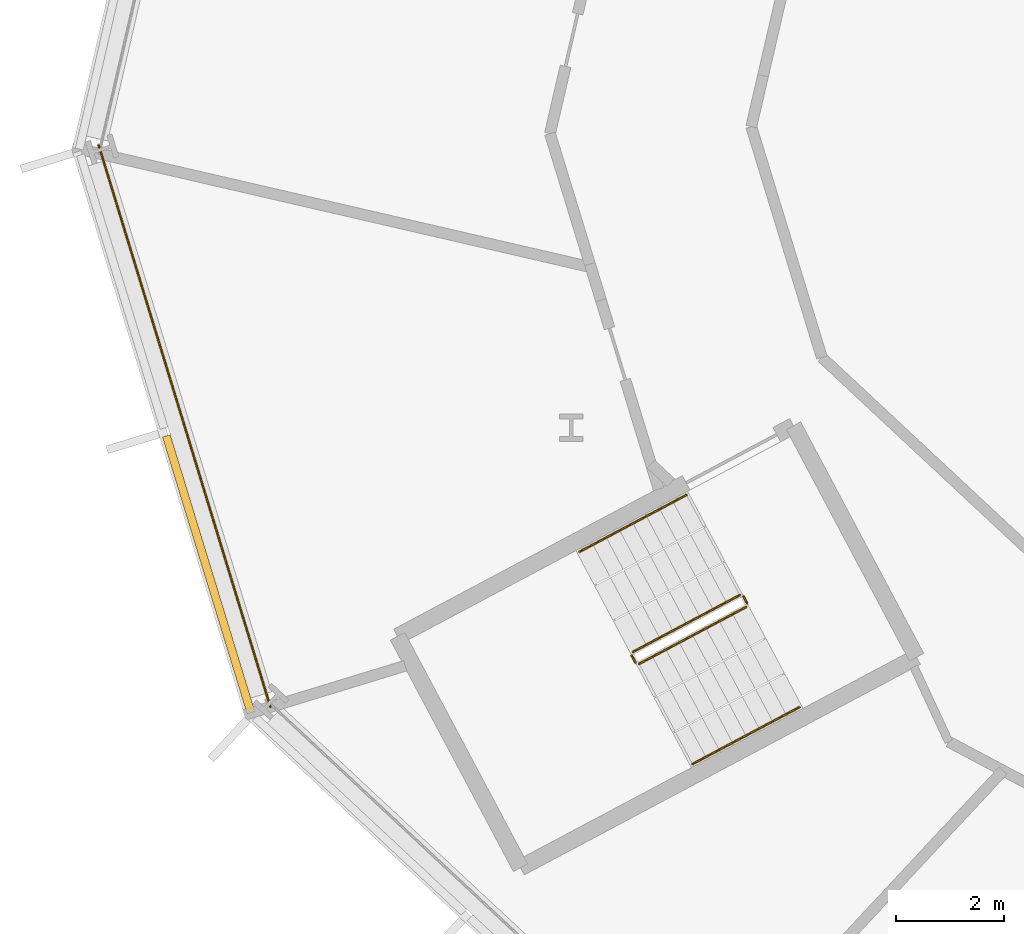
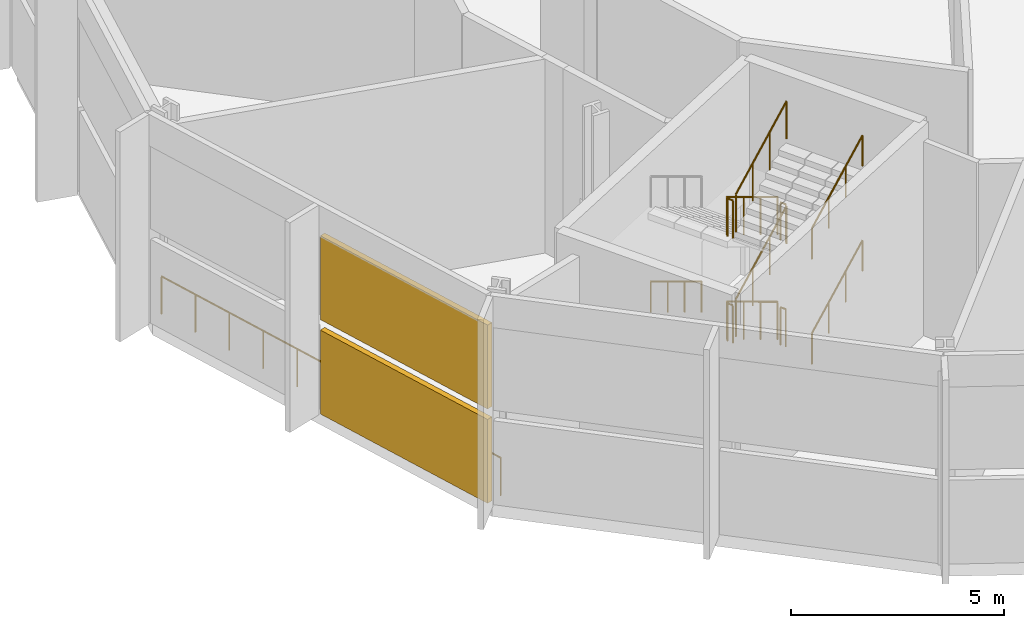
# One storey, part 22 of 33: 12 railings, 2 shading devices, 1 element without a shape of its own.
"""IFC4 building model written with IfcOpenShell, lengths in metres."""

from ifc_helpers import new_model, si_unit, direction, frame, origin, origin_2d, place, context, subcontext, project, spatial, polyline, rectangle, outline, extrude, material, layer, layer_set, type_object, element, aggregate, save


model = new_model("IFC4")

# Units and contexts
model_context = context("Model", 3, precision=1e-05, world=origin(), true_north=direction((0.0, 1.0)))
body_context = subcontext(model_context, "Body", "Model", "MODEL_VIEW")
ifc_project = project(units=[si_unit("LENGTHUNIT", "METRE"), si_unit("AREAUNIT", "SQUARE_METRE"), si_unit("VOLUMEUNIT", "CUBIC_METRE"), si_unit("PLANEANGLEUNIT", "RADIAN"), si_unit("MASSUNIT", "GRAM", prefix="KILO")], contexts=[model_context])

# Site, building, storey
site_placement = place(None, origin())
site = spatial("IfcSite", under=ifc_project, at=site_placement, CompositionType="ELEMENT")
building_placement = place(site_placement, origin())
building = spatial("IfcBuilding", under=site, at=building_placement, Name="Cormorant Relay Tower", CompositionType="ELEMENT")
storey_placement = place(building_placement, frame((0.0, 0.0, 112.199951171875)))
storey = spatial("IfcBuildingStorey", under=building, at=storey_placement, Name="L22", CompositionType="ELEMENT", Elevation=112.199951171875)

# Railing
ifc_material_1 = material(Name="Stainless steel 316 guard", Category="steel")
railing_type_1 = type_object("IfcRailingType", Name="Band louvre guard 1100", PredefinedType="GUARDRAIL", material=ifc_material_1)
railing_1_placement = place(storey_placement, frame((-60.43310546875, 20.48095703125, 0.0)))
element("IfcRailing", 1, at=railing_1_placement, inside=storey, type_object=railing_type_1, Name="CW4 guard 12", PredefinedType="GUARDRAIL", context=body_context, shape_type="SweptSolid", body=[
    extrude(outline(polyline([(0.022216796875, 0.00927734375), (0.00927734375, 0.022216796875), (-0.00927734375, 0.022216796875), (-0.022216796875, 0.00927734375), (-0.022216796875, -0.00927734375), (-0.00927734375, -0.022216796875), (0.00927734375, -0.022216796875), (0.022216796875, -0.00927734375), (0.022216796875, 0.00927734375)])), frame((0.0, 0.0, 1.076171875), z_axis=(0.292377729282, -0.95630291405, 0.0), x_axis=(0.95630291405, 0.292377729282, 0.0)), (0.0, 0.0, 1.0), 10.870361328125),
    extrude(outline(polyline([(0.019287109375, 0.008056640625), (0.008056640625, 0.019287109375), (-0.008056640625, 0.019287109375), (-0.019287109375, 0.008056640625), (-0.019287109375, -0.008056640625), (-0.008056640625, -0.019287109375), (0.008056640625, -0.019287109375), (0.019287109375, -0.008056640625), (0.019287109375, 0.008056640625)])), origin(), (0.0, 0.0, 1.0), 1.052001953125),
    extrude(outline(polyline([(0.019287109375, 0.008056640625), (0.008056640625, 0.019287109375), (-0.008056640625, 0.019287109375), (-0.019287109375, 0.008056640625), (-0.019287109375, -0.008056640625), (-0.008056640625, -0.019287109375), (0.008056640625, -0.019287109375), (0.019287109375, -0.008056640625), (0.019287109375, 0.008056640625)])), frame((0.31787109375, -1.03955078125, 0.0)), (0.0, 0.0, 1.0), 1.052001953125),
    extrude(outline(polyline([(0.019287109375, 0.008056640625), (0.008056640625, 0.019287109375), (-0.008056640625, 0.019287109375), (-0.019287109375, 0.008056640625), (-0.019287109375, -0.008056640625), (-0.008056640625, -0.019287109375), (0.008056640625, -0.019287109375), (0.019287109375, -0.008056640625), (0.019287109375, 0.008056640625)])), frame((0.6357421875, -2.0791015625, 0.0)), (0.0, 0.0, 1.0), 1.052001953125),
    extrude(outline(polyline([(0.019287109375, 0.008056640625), (0.008056640625, 0.019287109375), (-0.008056640625, 0.019287109375), (-0.019287109375, 0.008056640625), (-0.019287109375, -0.008056640625), (-0.008056640625, -0.019287109375), (0.008056640625, -0.019287109375), (0.019287109375, -0.008056640625), (0.019287109375, 0.008056640625)])), frame((0.953369140625, -3.11865234375, 0.0)), (0.0, 0.0, 1.0), 1.052001953125),
    extrude(outline(polyline([(0.019287109375, 0.008056640625), (0.008056640625, 0.019287109375), (-0.008056640625, 0.019287109375), (-0.019287109375, 0.008056640625), (-0.019287109375, -0.008056640625), (-0.008056640625, -0.019287109375), (0.008056640625, -0.019287109375), (0.019287109375, -0.008056640625), (0.019287109375, 0.008056640625)])), frame((1.271240234375, -4.158203125, 0.0)), (0.0, 0.0, 1.0), 1.052001953125),
    extrude(outline(polyline([(0.019287109375, 0.008056640625), (0.008056640625, 0.019287109375), (-0.008056640625, 0.019287109375), (-0.019287109375, 0.008056640625), (-0.019287109375, -0.008056640625), (-0.008056640625, -0.019287109375), (0.008056640625, -0.019287109375), (0.019287109375, -0.008056640625), (0.019287109375, 0.008056640625)])), frame((1.589111328125, -5.19775390625, 0.0)), (0.0, 0.0, 1.0), 1.052001953125),
    extrude(outline(polyline([(0.019287109375, 0.008056640625), (0.008056640625, 0.019287109375), (-0.008056640625, 0.019287109375), (-0.019287109375, 0.008056640625), (-0.019287109375, -0.008056640625), (-0.008056640625, -0.019287109375), (0.008056640625, -0.019287109375), (0.019287109375, -0.008056640625), (0.019287109375, 0.008056640625)])), frame((1.906982421875, -6.237060546875, 0.0)), (0.0, 0.0, 1.0), 1.052001953125),
    extrude(outline(polyline([(0.019287109375, 0.008056640625), (0.008056640625, 0.019287109375), (-0.008056640625, 0.019287109375), (-0.019287109375, 0.008056640625), (-0.019287109375, -0.008056640625), (-0.008056640625, -0.019287109375), (0.008056640625, -0.019287109375), (0.019287109375, -0.008056640625), (0.019287109375, 0.008056640625)])), frame((2.224853515625, -7.276611328125, 0.0)), (0.0, 0.0, 1.0), 1.052001953125),
    extrude(outline(polyline([(0.019287109375, 0.008056640625), (0.008056640625, 0.019287109375), (-0.008056640625, 0.019287109375), (-0.019287109375, 0.008056640625), (-0.019287109375, -0.008056640625), (-0.008056640625, -0.019287109375), (0.008056640625, -0.019287109375), (0.019287109375, -0.008056640625), (0.019287109375, 0.008056640625)])), frame((2.54248046875, -8.316162109375, 0.0)), (0.0, 0.0, 1.0), 1.052001953125),
    extrude(outline(polyline([(0.019287109375, 0.008056640625), (0.008056640625, 0.019287109375), (-0.008056640625, 0.019287109375), (-0.019287109375, 0.008056640625), (-0.019287109375, -0.008056640625), (-0.008056640625, -0.019287109375), (0.008056640625, -0.019287109375), (0.019287109375, -0.008056640625), (0.019287109375, 0.008056640625)])), frame((2.8603515625, -9.355712890625, 0.0)), (0.0, 0.0, 1.0), 1.052001953125),
    extrude(outline(polyline([(0.019287109375, 0.008056640625), (0.008056640625, 0.019287109375), (-0.008056640625, 0.019287109375), (-0.019287109375, 0.008056640625), (-0.019287109375, -0.008056640625), (-0.008056640625, -0.019287109375), (0.008056640625, -0.019287109375), (0.019287109375, -0.008056640625), (0.019287109375, 0.008056640625)])), frame((3.17822265625, -10.395263671875, 0.0)), (0.0, 0.0, 1.0), 1.052001953125),
])

# Curtain wall, shading devices
ifc_material_2 = material(Name="Aluminium 6063-T6 anodised bronze", Category="aluminium")
ifc_layer = layer(ifc_material_2, 0.199951171875)
ifc_layer_set = layer_set([ifc_layer], Name="CW4 band louvre wall")
curtain_wall_type = type_object("IfcCurtainWallType", Name="CW4 band louvre wall", PredefinedType="NOTDEFINED", material=ifc_layer_set)
curtain_wall_placement = place(storey_placement, origin())
curtain_wall = element("IfcCurtainWall", 2, at=curtain_wall_placement, inside=storey, type_object=curtain_wall_type, Name="CW4 curtain wall 12", PredefinedType="NOTDEFINED")
ifc_material_3 = material(Name="Aluminium 6063-T6 anodised bronze louvre", Category="aluminium")
shading_device_type = type_object("IfcShadingDeviceType", Name="CW4 bronze louvre bank 150 x 2400", PredefinedType="USERDEFINED", material=ifc_material_3)
shading_device_1_placement = place(storey_placement, frame((-58.39697265625, 12.5390625, 2.7001953125), z_axis=(0.0, 0.0, 1.0), x_axis=(0.292371704723, -0.956304755963, 0.0)))
shading_device_1 = element("IfcShadingDevice", 3, at=shading_device_1_placement, type_object=shading_device_type, Name="CW4 louvre bank U12.2", ObjectType="LOUVRE", PredefinedType="USERDEFINED", context=body_context, shape_type="SweptSolid", body=[
    extrude(rectangle(XDim=5.360107421875, YDim=0.14990234375, at=origin_2d()), origin(), (0.0, 0.0, 1.0), 2.39990234375),
])
shading_device_2_placement = place(storey_placement, frame((-58.39697265625, 12.5390625, 0.0), z_axis=(0.0, 0.0, 1.0), x_axis=(0.292371704723, -0.956304755963, 0.0)))
shading_device_2 = element("IfcShadingDevice", 4, at=shading_device_2_placement, type_object=shading_device_type, Name="CW4 louvre bank D12.2", ObjectType="LOUVRE", PredefinedType="USERDEFINED", context=body_context, shape_type="SweptSolid", body=[
    extrude(rectangle(XDim=5.360107421875, YDim=0.14990234375, at=origin_2d()), origin(), (0.0, 0.0, 1.0), 2.39990234375),
])
aggregate(curtain_wall, [shading_device_1, shading_device_2])

# Railings
ifc_material_4 = material(Name="Steel ASTM A572 Grade 50 (Fy 345 MPa)", Category="steel")
railing_type_2 = type_object("IfcRailingType", Name="Stair guard 1100", PredefinedType="GUARDRAIL", material=ifc_material_4)
railing_2_placement = place(storey_placement, frame((-48.5693359375, 12.155517578125, 0.166748046875)))
element("IfcRailing", 5, at=railing_2_placement, inside=storey, type_object=railing_type_2, Name="L22 RP1 stair guard 1", PredefinedType="GUARDRAIL", context=body_context, shape_type="SweptSolid", body=[
    extrude(outline(polyline([(0.022216796875, 0.00927734375), (0.00927734375, 0.022216796875), (-0.00927734375, 0.022216796875), (-0.022216796875, 0.00927734375), (-0.022216796875, -0.00927734375), (-0.00927734375, -0.022216796875), (0.00927734375, -0.022216796875), (0.022216796875, -0.00927734375), (0.022216796875, 0.00927734375)])), frame((0.0, 0.0, 1.076171875), z_axis=(-0.758702922872, -0.403467743702, 0.511452494976), x_axis=(0.469524402671, -0.882919495366, 0.0)), (0.0, 0.0, 1.0), 2.606689453125),
    extrude(outline(polyline([(0.019287109375, 0.008056640625), (0.008056640625, 0.019287109375), (-0.008056640625, 0.019287109375), (-0.019287109375, 0.008056640625), (-0.019287109375, -0.008056640625), (-0.008056640625, -0.019287109375), (0.008056640625, -0.019287109375), (0.019287109375, -0.008056640625), (0.019287109375, 0.008056640625)])), origin(), (0.0, 0.0, 1.0), 1.052001953125),
    extrude(outline(polyline([(0.019287109375, 0.008056640625), (0.008056640625, 0.019287109375), (-0.008056640625, 0.019287109375), (-0.019287109375, 0.008056640625), (-0.019287109375, -0.008056640625), (-0.008056640625, -0.019287109375), (0.008056640625, -0.019287109375), (0.019287109375, -0.008056640625), (0.019287109375, 0.008056640625)])), frame((-0.6591796875, -0.3505859375, 0.4443359375)), (0.0, 0.0, 1.0), 1.052001953125),
    extrude(outline(polyline([(0.019287109375, 0.008056640625), (0.008056640625, 0.019287109375), (-0.008056640625, 0.019287109375), (-0.019287109375, 0.008056640625), (-0.019287109375, -0.008056640625), (-0.008056640625, -0.019287109375), (0.008056640625, -0.019287109375), (0.019287109375, -0.008056640625), (0.019287109375, 0.008056640625)])), frame((-1.318603515625, -0.701171875, 0.888916015625)), (0.0, 0.0, 1.0), 1.052001953125),
    extrude(outline(polyline([(0.019287109375, 0.008056640625), (0.008056640625, 0.019287109375), (-0.008056640625, 0.019287109375), (-0.019287109375, 0.008056640625), (-0.019287109375, -0.008056640625), (-0.008056640625, -0.019287109375), (0.008056640625, -0.019287109375), (0.019287109375, -0.008056640625), (0.019287109375, 0.008056640625)])), frame((-1.977783203125, -1.0517578125, 1.333251953125)), (0.0, 0.0, 1.0), 1.052001953125),
])
railing_3_placement = place(storey_placement, frame((-50.56787109375, 11.0361328125, 1.5)))
element("IfcRailing", 6, at=railing_3_placement, inside=storey, type_object=railing_type_2, Name="L22 RP1 stair guard 2", PredefinedType="GUARDRAIL", context=body_context, shape_type="SweptSolid", body=[
    extrude(outline(polyline([(0.022216796875, 0.00927734375), (0.00927734375, 0.022216796875), (-0.00927734375, 0.022216796875), (-0.022216796875, 0.00927734375), (-0.022216796875, -0.00927734375), (-0.00927734375, -0.022216796875), (0.00927734375, -0.022216796875), (0.022216796875, -0.00927734375), (0.022216796875, 0.00927734375)])), frame((0.0, 0.0, 1.076171875), z_axis=(0.470503732759, -0.882398003998, 0.0), x_axis=(0.882398003998, 0.470503732759, 0.0)), (0.0, 0.0, 1.0), 0.14990234375),
    extrude(outline(polyline([(0.019287109375, 0.008056640625), (0.008056640625, 0.019287109375), (-0.008056640625, 0.019287109375), (-0.019287109375, 0.008056640625), (-0.019287109375, -0.008056640625), (-0.008056640625, -0.019287109375), (0.008056640625, -0.019287109375), (0.019287109375, -0.008056640625), (0.019287109375, 0.008056640625)])), origin(), (0.0, 0.0, 1.0), 1.052001953125),
    extrude(outline(polyline([(0.019287109375, 0.008056640625), (0.008056640625, 0.019287109375), (-0.008056640625, 0.019287109375), (-0.019287109375, 0.008056640625), (-0.019287109375, -0.008056640625), (-0.008056640625, -0.019287109375), (0.008056640625, -0.019287109375), (0.019287109375, -0.008056640625), (0.019287109375, 0.008056640625)])), frame((0.070556640625, -0.13232421875, 0.0)), (0.0, 0.0, 1.0), 1.052001953125),
])
railing_4_placement = place(storey_placement, frame((-50.429931640625, 10.883056640625, 1.666748046875)))
element("IfcRailing", 7, at=railing_4_placement, inside=storey, type_object=railing_type_2, Name="L22 RP1 stair guard 3", PredefinedType="GUARDRAIL", context=body_context, shape_type="SweptSolid", body=[
    extrude(outline(polyline([(0.022216796875, 0.00927734375), (0.00927734375, 0.022216796875), (-0.00927734375, 0.022216796875), (-0.022216796875, 0.00927734375), (-0.022216796875, -0.00927734375), (-0.00927734375, -0.022216796875), (0.00927734375, -0.022216796875), (0.022216796875, -0.00927734375), (0.022216796875, 0.00927734375)])), frame((0.0, 0.0, 1.076171875), z_axis=(0.758771327995, 0.403360665228, 0.511435475461), x_axis=(-0.469394259828, 0.88298869123, 0.0)), (0.0, 0.0, 1.0), 2.60693359375),
    extrude(outline(polyline([(0.019287109375, 0.008056640625), (0.008056640625, 0.019287109375), (-0.008056640625, 0.019287109375), (-0.019287109375, 0.008056640625), (-0.019287109375, -0.008056640625), (-0.008056640625, -0.019287109375), (0.008056640625, -0.019287109375), (0.019287109375, -0.008056640625), (0.019287109375, 0.008056640625)])), origin(), (0.0, 0.0, 1.0), 1.052001953125),
    extrude(outline(polyline([(0.019287109375, 0.008056640625), (0.008056640625, 0.019287109375), (-0.008056640625, 0.019287109375), (-0.019287109375, 0.008056640625), (-0.019287109375, -0.008056640625), (-0.008056640625, -0.019287109375), (0.008056640625, -0.019287109375), (0.019287109375, -0.008056640625), (0.019287109375, 0.008056640625)])), frame((0.659423828125, 0.3505859375, 0.4443359375)), (0.0, 0.0, 1.0), 1.052001953125),
    extrude(outline(polyline([(0.019287109375, 0.008056640625), (0.008056640625, 0.019287109375), (-0.008056640625, 0.019287109375), (-0.019287109375, 0.008056640625), (-0.019287109375, -0.008056640625), (-0.008056640625, -0.019287109375), (0.008056640625, -0.019287109375), (0.019287109375, -0.008056640625), (0.019287109375, 0.008056640625)])), frame((1.318603515625, 0.700927734375, 0.888916015625)), (0.0, 0.0, 1.0), 1.052001953125),
    extrude(outline(polyline([(0.019287109375, 0.008056640625), (0.008056640625, 0.019287109375), (-0.008056640625, 0.019287109375), (-0.019287109375, 0.008056640625), (-0.019287109375, -0.008056640625), (-0.008056640625, -0.019287109375), (0.008056640625, -0.019287109375), (0.019287109375, -0.008056640625), (0.019287109375, 0.008056640625)])), frame((1.97802734375, 1.051513671875, 1.333251953125)), (0.0, 0.0, 1.0), 1.052001953125),
])
railing_5_placement = place(storey_placement, frame((-48.501708984375, 12.134765625, 3.0)))
element("IfcRailing", 8, at=railing_5_placement, inside=storey, type_object=railing_type_2, Name="L22 RP1 stair guard 4", PredefinedType="GUARDRAIL", context=body_context, shape_type="SweptSolid", body=[
    extrude(outline(polyline([(0.022216796875, 0.00927734375), (0.00927734375, 0.022216796875), (-0.00927734375, 0.022216796875), (-0.022216796875, 0.00927734375), (-0.022216796875, -0.00927734375), (-0.00927734375, -0.022216796875), (0.00927734375, -0.022216796875), (0.022216796875, -0.00927734375), (0.022216796875, 0.00927734375)])), frame((0.0, 0.0, 1.076171875), z_axis=(0.46856034887, -0.8834314911, 0.0), x_axis=(0.8834314911, 0.46856034887, 0.0)), (0.0, 0.0, 1.0), 0.150146484375),
    extrude(outline(polyline([(0.019287109375, 0.008056640625), (0.008056640625, 0.019287109375), (-0.008056640625, 0.019287109375), (-0.019287109375, 0.008056640625), (-0.019287109375, -0.008056640625), (-0.008056640625, -0.019287109375), (0.008056640625, -0.019287109375), (0.019287109375, -0.008056640625), (0.019287109375, 0.008056640625)])), origin(), (0.0, 0.0, 1.0), 1.052001953125),
    extrude(outline(polyline([(0.019287109375, 0.008056640625), (0.008056640625, 0.019287109375), (-0.008056640625, 0.019287109375), (-0.019287109375, 0.008056640625), (-0.019287109375, -0.008056640625), (-0.008056640625, -0.019287109375), (0.008056640625, -0.019287109375), (0.019287109375, -0.008056640625), (0.019287109375, 0.008056640625)])), frame((0.0703125, -0.132568359375, 0.0)), (0.0, 0.0, 1.0), 1.052001953125),
])
railing_6_placement = place(storey_placement, frame((-48.5693359375, 12.155517578125, 3.166748046875)))
element("IfcRailing", 9, at=railing_6_placement, inside=storey, type_object=railing_type_2, Name="L22 RP1 stair guard 5", PredefinedType="GUARDRAIL", context=body_context, shape_type="SweptSolid", body=[
    extrude(outline(polyline([(0.022216796875, 0.00927734375), (0.00927734375, 0.022216796875), (-0.00927734375, 0.022216796875), (-0.022216796875, 0.00927734375), (-0.022216796875, -0.00927734375), (-0.00927734375, -0.022216796875), (0.00927734375, -0.022216796875), (0.022216796875, -0.00927734375), (0.022216796875, 0.00927734375)])), frame((0.0, 0.0, 1.076171875), z_axis=(-0.758702922872, -0.403467743702, 0.511452494976), x_axis=(0.469524402671, -0.882919495366, 0.0)), (0.0, 0.0, 1.0), 2.606689453125),
    extrude(outline(polyline([(0.019287109375, 0.008056640625), (0.008056640625, 0.019287109375), (-0.008056640625, 0.019287109375), (-0.019287109375, 0.008056640625), (-0.019287109375, -0.008056640625), (-0.008056640625, -0.019287109375), (0.008056640625, -0.019287109375), (0.019287109375, -0.008056640625), (0.019287109375, 0.008056640625)])), origin(), (0.0, 0.0, 1.0), 1.052001953125),
    extrude(outline(polyline([(0.019287109375, 0.008056640625), (0.008056640625, 0.019287109375), (-0.008056640625, 0.019287109375), (-0.019287109375, 0.008056640625), (-0.019287109375, -0.008056640625), (-0.008056640625, -0.019287109375), (0.008056640625, -0.019287109375), (0.019287109375, -0.008056640625), (0.019287109375, 0.008056640625)])), frame((-0.6591796875, -0.3505859375, 0.4443359375)), (0.0, 0.0, 1.0), 1.052001953125),
    extrude(outline(polyline([(0.019287109375, 0.008056640625), (0.008056640625, 0.019287109375), (-0.008056640625, 0.019287109375), (-0.019287109375, 0.008056640625), (-0.019287109375, -0.008056640625), (-0.008056640625, -0.019287109375), (0.008056640625, -0.019287109375), (0.019287109375, -0.008056640625), (0.019287109375, 0.008056640625)])), frame((-1.318603515625, -0.701171875, 0.888916015625)), (0.0, 0.0, 1.0), 1.052001953125),
    extrude(outline(polyline([(0.019287109375, 0.008056640625), (0.008056640625, 0.019287109375), (-0.008056640625, 0.019287109375), (-0.019287109375, 0.008056640625), (-0.019287109375, -0.008056640625), (-0.008056640625, -0.019287109375), (0.008056640625, -0.019287109375), (0.019287109375, -0.008056640625), (0.019287109375, 0.008056640625)])), frame((-1.977783203125, -1.0517578125, 1.333251953125)), (0.0, 0.0, 1.0), 1.052001953125),
])
railing_7_placement = place(storey_placement, frame((-50.56787109375, 11.0361328125, 4.5)))
element("IfcRailing", 10, at=railing_7_placement, inside=storey, type_object=railing_type_2, Name="L22 RP1 stair guard 6", PredefinedType="GUARDRAIL", context=body_context, shape_type="SweptSolid", body=[
    extrude(outline(polyline([(0.022216796875, 0.00927734375), (0.00927734375, 0.022216796875), (-0.00927734375, 0.022216796875), (-0.022216796875, 0.00927734375), (-0.022216796875, -0.00927734375), (-0.00927734375, -0.022216796875), (0.00927734375, -0.022216796875), (0.022216796875, -0.00927734375), (0.022216796875, 0.00927734375)])), frame((0.0, 0.0, 1.076171875), z_axis=(0.470503732759, -0.882398003998, 0.0), x_axis=(0.882398003998, 0.470503732759, 0.0)), (0.0, 0.0, 1.0), 0.14990234375),
    extrude(outline(polyline([(0.019287109375, 0.008056640625), (0.008056640625, 0.019287109375), (-0.008056640625, 0.019287109375), (-0.019287109375, 0.008056640625), (-0.019287109375, -0.008056640625), (-0.008056640625, -0.019287109375), (0.008056640625, -0.019287109375), (0.019287109375, -0.008056640625), (0.019287109375, 0.008056640625)])), origin(), (0.0, 0.0, 1.0), 1.052001953125),
    extrude(outline(polyline([(0.019287109375, 0.008056640625), (0.008056640625, 0.019287109375), (-0.008056640625, 0.019287109375), (-0.019287109375, 0.008056640625), (-0.019287109375, -0.008056640625), (-0.008056640625, -0.019287109375), (0.008056640625, -0.019287109375), (0.019287109375, -0.008056640625), (0.019287109375, 0.008056640625)])), frame((0.070556640625, -0.13232421875, 0.0)), (0.0, 0.0, 1.0), 1.052001953125),
])
railing_8_placement = place(storey_placement, frame((-50.429931640625, 10.883056640625, 4.666748046875)))
element("IfcRailing", 11, at=railing_8_placement, inside=storey, type_object=railing_type_2, Name="L22 RP1 stair guard 7", PredefinedType="GUARDRAIL", context=body_context, shape_type="SweptSolid", body=[
    extrude(outline(polyline([(0.022216796875, 0.00927734375), (0.00927734375, 0.022216796875), (-0.00927734375, 0.022216796875), (-0.022216796875, 0.00927734375), (-0.022216796875, -0.00927734375), (-0.00927734375, -0.022216796875), (0.00927734375, -0.022216796875), (0.022216796875, -0.00927734375), (0.022216796875, 0.00927734375)])), frame((0.0, 0.0, 1.076171875), z_axis=(0.758771327995, 0.403360665228, 0.511435475461), x_axis=(-0.469394259828, 0.88298869123, 0.0)), (0.0, 0.0, 1.0), 2.60693359375),
    extrude(outline(polyline([(0.019287109375, 0.008056640625), (0.008056640625, 0.019287109375), (-0.008056640625, 0.019287109375), (-0.019287109375, 0.008056640625), (-0.019287109375, -0.008056640625), (-0.008056640625, -0.019287109375), (0.008056640625, -0.019287109375), (0.019287109375, -0.008056640625), (0.019287109375, 0.008056640625)])), origin(), (0.0, 0.0, 1.0), 1.052001953125),
    extrude(outline(polyline([(0.019287109375, 0.008056640625), (0.008056640625, 0.019287109375), (-0.008056640625, 0.019287109375), (-0.019287109375, 0.008056640625), (-0.019287109375, -0.008056640625), (-0.008056640625, -0.019287109375), (0.008056640625, -0.019287109375), (0.019287109375, -0.008056640625), (0.019287109375, 0.008056640625)])), frame((0.659423828125, 0.3505859375, 0.4443359375)), (0.0, 0.0, 1.0), 1.052001953125),
    extrude(outline(polyline([(0.019287109375, 0.008056640625), (0.008056640625, 0.019287109375), (-0.008056640625, 0.019287109375), (-0.019287109375, 0.008056640625), (-0.019287109375, -0.008056640625), (-0.008056640625, -0.019287109375), (0.008056640625, -0.019287109375), (0.019287109375, -0.008056640625), (0.019287109375, 0.008056640625)])), frame((1.318603515625, 0.700927734375, 0.888916015625)), (0.0, 0.0, 1.0), 1.052001953125),
    extrude(outline(polyline([(0.019287109375, 0.008056640625), (0.008056640625, 0.019287109375), (-0.008056640625, 0.019287109375), (-0.019287109375, 0.008056640625), (-0.019287109375, -0.008056640625), (-0.008056640625, -0.019287109375), (0.008056640625, -0.019287109375), (0.019287109375, -0.008056640625), (0.019287109375, 0.008056640625)])), frame((1.97802734375, 1.051513671875, 1.333251953125)), (0.0, 0.0, 1.0), 1.052001953125),
])
railing_9_placement = place(storey_placement, frame((-48.501708984375, 12.134765625, 0.0)))
element("IfcRailing", 12, at=railing_9_placement, inside=storey, type_object=railing_type_2, Name="L22 RP1 stair guard 8", PredefinedType="GUARDRAIL", context=body_context, shape_type="SweptSolid", body=[
    extrude(outline(polyline([(0.022216796875, 0.00927734375), (0.00927734375, 0.022216796875), (-0.00927734375, 0.022216796875), (-0.022216796875, 0.00927734375), (-0.022216796875, -0.00927734375), (-0.00927734375, -0.022216796875), (0.00927734375, -0.022216796875), (0.022216796875, -0.00927734375), (0.022216796875, 0.00927734375)])), frame((0.0, 0.0, 1.076171875), z_axis=(0.46856034887, -0.8834314911, 0.0), x_axis=(0.8834314911, 0.46856034887, 0.0)), (0.0, 0.0, 1.0), 0.150146484375),
    extrude(outline(polyline([(0.019287109375, 0.008056640625), (0.008056640625, 0.019287109375), (-0.008056640625, 0.019287109375), (-0.019287109375, 0.008056640625), (-0.019287109375, -0.008056640625), (-0.008056640625, -0.019287109375), (0.008056640625, -0.019287109375), (0.019287109375, -0.008056640625), (0.019287109375, 0.008056640625)])), origin(), (0.0, 0.0, 1.0), 1.052001953125),
    extrude(outline(polyline([(0.019287109375, 0.008056640625), (0.008056640625, 0.019287109375), (-0.008056640625, 0.019287109375), (-0.019287109375, 0.008056640625), (-0.019287109375, -0.008056640625), (-0.008056640625, -0.019287109375), (0.008056640625, -0.019287109375), (0.019287109375, -0.008056640625), (0.019287109375, 0.008056640625)])), frame((0.0703125, -0.132568359375, 0.0)), (0.0, 0.0, 1.0), 1.052001953125),
])
ifc_material_5 = material(Name="Steel ASTM A572 Grade 50 (Fy 345 MPa)", Category="steel")
railing_type_3 = type_object("IfcRailingType", Name="Stair handrail 900", PredefinedType="HANDRAIL", material=ifc_material_5)
railing_10_placement = place(storey_placement, frame((-49.55517578125, 14.009521484375, 0.166748046875)))
element("IfcRailing", 13, at=railing_10_placement, inside=storey, type_object=railing_type_3, Name="L22 RP1 stair handrail 1", PredefinedType="HANDRAIL", context=body_context, shape_type="SweptSolid", body=[
    extrude(outline(polyline([(0.022216796875, 0.00927734375), (0.00927734375, 0.022216796875), (-0.00927734375, 0.022216796875), (-0.022216796875, 0.00927734375), (-0.022216796875, -0.00927734375), (-0.00927734375, -0.022216796875), (0.00927734375, -0.022216796875), (0.022216796875, -0.00927734375), (0.022216796875, 0.00927734375)])), frame((0.0, 0.0, 0.8759765625), z_axis=(-0.758731590246, -0.403389329612, 0.511471820063), x_axis=(0.469439434157, -0.882964675204, 0.0)), (0.0, 0.0, 1.0), 2.606689453125),
    extrude(outline(polyline([(0.019287109375, 0.008056640625), (0.008056640625, 0.019287109375), (-0.008056640625, 0.019287109375), (-0.019287109375, 0.008056640625), (-0.019287109375, -0.008056640625), (-0.008056640625, -0.019287109375), (0.008056640625, -0.019287109375), (0.019287109375, -0.008056640625), (0.019287109375, 0.008056640625)])), origin(), (0.0, 0.0, 1.0), 0.851806640625),
    extrude(outline(polyline([(0.019287109375, 0.008056640625), (0.008056640625, 0.019287109375), (-0.008056640625, 0.019287109375), (-0.019287109375, 0.008056640625), (-0.019287109375, -0.008056640625), (-0.008056640625, -0.019287109375), (0.008056640625, -0.019287109375), (0.019287109375, -0.008056640625), (0.019287109375, 0.008056640625)])), frame((-0.6591796875, -0.3505859375, 0.4443359375)), (0.0, 0.0, 1.0), 0.851806640625),
    extrude(outline(polyline([(0.019287109375, 0.008056640625), (0.008056640625, 0.019287109375), (-0.008056640625, 0.019287109375), (-0.019287109375, 0.008056640625), (-0.019287109375, -0.008056640625), (-0.008056640625, -0.019287109375), (0.008056640625, -0.019287109375), (0.019287109375, -0.008056640625), (0.019287109375, 0.008056640625)])), frame((-1.318603515625, -0.700927734375, 0.888916015625)), (0.0, 0.0, 1.0), 0.851806640625),
    extrude(outline(polyline([(0.019287109375, 0.008056640625), (0.008056640625, 0.019287109375), (-0.008056640625, 0.019287109375), (-0.019287109375, 0.008056640625), (-0.019287109375, -0.008056640625), (-0.008056640625, -0.019287109375), (0.008056640625, -0.019287109375), (0.019287109375, -0.008056640625), (0.019287109375, 0.008056640625)])), frame((-1.977783203125, -1.051513671875, 1.333251953125)), (0.0, 0.0, 1.0), 0.851806640625),
])
railing_11_placement = place(storey_placement, frame((-49.44384765625, 9.02880859375, 1.666748046875)))
element("IfcRailing", 14, at=railing_11_placement, inside=storey, type_object=railing_type_3, Name="L22 RP1 stair handrail 2", PredefinedType="HANDRAIL", context=body_context, shape_type="SweptSolid", body=[
    extrude(outline(polyline([(0.022216796875, 0.00927734375), (0.00927734375, 0.022216796875), (-0.00927734375, 0.022216796875), (-0.022216796875, 0.00927734375), (-0.022216796875, -0.00927734375), (-0.00927734375, -0.022216796875), (0.00927734375, -0.022216796875), (0.022216796875, -0.00927734375), (0.022216796875, 0.00927734375)])), frame((0.0, 0.0, 0.8759765625), z_axis=(0.758702922872, 0.403467743702, 0.511452494976), x_axis=(-0.469524402671, 0.882919495366, 0.0)), (0.0, 0.0, 1.0), 2.606689453125),
    extrude(outline(polyline([(0.019287109375, 0.008056640625), (0.008056640625, 0.019287109375), (-0.008056640625, 0.019287109375), (-0.019287109375, 0.008056640625), (-0.019287109375, -0.008056640625), (-0.008056640625, -0.019287109375), (0.008056640625, -0.019287109375), (0.019287109375, -0.008056640625), (0.019287109375, 0.008056640625)])), origin(), (0.0, 0.0, 1.0), 0.851806640625),
    extrude(outline(polyline([(0.019287109375, 0.008056640625), (0.008056640625, 0.019287109375), (-0.008056640625, 0.019287109375), (-0.019287109375, 0.008056640625), (-0.019287109375, -0.008056640625), (-0.008056640625, -0.019287109375), (0.008056640625, -0.019287109375), (0.019287109375, -0.008056640625), (0.019287109375, 0.008056640625)])), frame((0.6591796875, 0.3505859375, 0.4443359375)), (0.0, 0.0, 1.0), 0.851806640625),
    extrude(outline(polyline([(0.019287109375, 0.008056640625), (0.008056640625, 0.019287109375), (-0.008056640625, 0.019287109375), (-0.019287109375, 0.008056640625), (-0.019287109375, -0.008056640625), (-0.008056640625, -0.019287109375), (0.008056640625, -0.019287109375), (0.019287109375, -0.008056640625), (0.019287109375, 0.008056640625)])), frame((1.318603515625, 0.701171875, 0.888916015625)), (0.0, 0.0, 1.0), 0.851806640625),
    extrude(outline(polyline([(0.019287109375, 0.008056640625), (0.008056640625, 0.019287109375), (-0.008056640625, 0.019287109375), (-0.019287109375, 0.008056640625), (-0.019287109375, -0.008056640625), (-0.008056640625, -0.019287109375), (0.008056640625, -0.019287109375), (0.019287109375, -0.008056640625), (0.019287109375, 0.008056640625)])), frame((1.977783203125, 1.0517578125, 1.333251953125)), (0.0, 0.0, 1.0), 0.851806640625),
])
railing_12_placement = place(storey_placement, frame((-49.44384765625, 9.02880859375, 4.666748046875)))
element("IfcRailing", 15, at=railing_12_placement, inside=storey, type_object=railing_type_3, Name="L22 RP1 stair handrail 4", PredefinedType="HANDRAIL", context=body_context, shape_type="SweptSolid", body=[
    extrude(outline(polyline([(0.022216796875, 0.00927734375), (0.00927734375, 0.022216796875), (-0.00927734375, 0.022216796875), (-0.022216796875, 0.00927734375), (-0.022216796875, -0.00927734375), (-0.00927734375, -0.022216796875), (0.00927734375, -0.022216796875), (0.022216796875, -0.00927734375), (0.022216796875, 0.00927734375)])), frame((0.0, 0.0, 0.8759765625), z_axis=(0.758702922872, 0.403467743702, 0.511452494976), x_axis=(-0.469524402671, 0.882919495366, 0.0)), (0.0, 0.0, 1.0), 2.606689453125),
    extrude(outline(polyline([(0.019287109375, 0.008056640625), (0.008056640625, 0.019287109375), (-0.008056640625, 0.019287109375), (-0.019287109375, 0.008056640625), (-0.019287109375, -0.008056640625), (-0.008056640625, -0.019287109375), (0.008056640625, -0.019287109375), (0.019287109375, -0.008056640625), (0.019287109375, 0.008056640625)])), origin(), (0.0, 0.0, 1.0), 0.851806640625),
    extrude(outline(polyline([(0.019287109375, 0.008056640625), (0.008056640625, 0.019287109375), (-0.008056640625, 0.019287109375), (-0.019287109375, 0.008056640625), (-0.019287109375, -0.008056640625), (-0.008056640625, -0.019287109375), (0.008056640625, -0.019287109375), (0.019287109375, -0.008056640625), (0.019287109375, 0.008056640625)])), frame((0.6591796875, 0.3505859375, 0.4443359375)), (0.0, 0.0, 1.0), 0.851806640625),
    extrude(outline(polyline([(0.019287109375, 0.008056640625), (0.008056640625, 0.019287109375), (-0.008056640625, 0.019287109375), (-0.019287109375, 0.008056640625), (-0.019287109375, -0.008056640625), (-0.008056640625, -0.019287109375), (0.008056640625, -0.019287109375), (0.019287109375, -0.008056640625), (0.019287109375, 0.008056640625)])), frame((1.318603515625, 0.701171875, 0.888916015625)), (0.0, 0.0, 1.0), 0.851806640625),
    extrude(outline(polyline([(0.019287109375, 0.008056640625), (0.008056640625, 0.019287109375), (-0.008056640625, 0.019287109375), (-0.019287109375, 0.008056640625), (-0.019287109375, -0.008056640625), (-0.008056640625, -0.019287109375), (0.008056640625, -0.019287109375), (0.019287109375, -0.008056640625), (0.019287109375, 0.008056640625)])), frame((1.977783203125, 1.0517578125, 1.333251953125)), (0.0, 0.0, 1.0), 0.851806640625),
])

save(model, "model.ifc")
